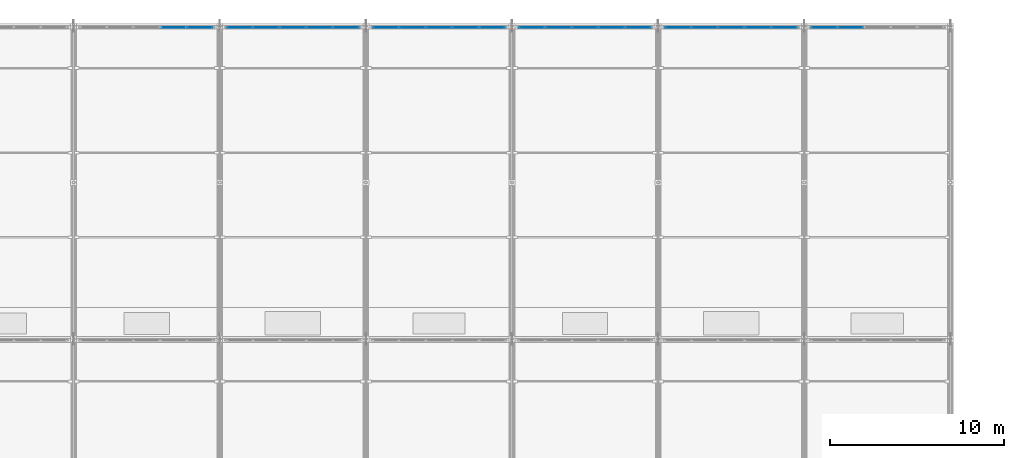
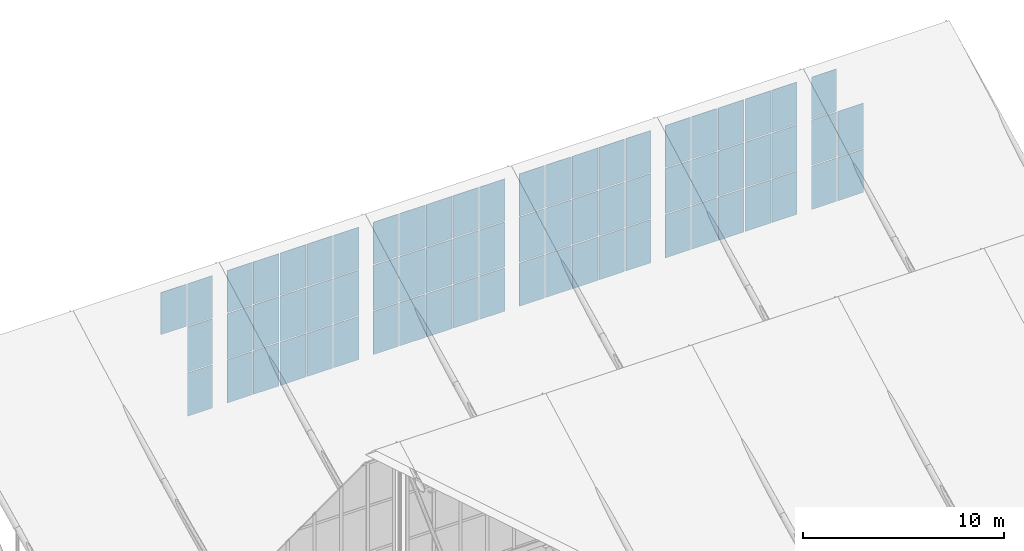
# One storey, part 32 of 38: 69 plates, 6 elements without a shape of their own.
"""IFC4 building model written with IfcOpenShell, lengths in metres."""

from ifc_helpers import new_model, si_unit, direction, frame, origin, origin_2d, place, context, subcontext, project, spatial, rectangle, extrude, material, layer, layer_set, type_object, element, aggregate, save


model = new_model("IFC4")

# Units and contexts
model_context = context("Model", 3, precision=1e-05, world=origin(), true_north=direction((0.0, 1.0)))
body_context = subcontext(model_context, "Body", "Model", "MODEL_VIEW")
ifc_project = project(units=[si_unit("LENGTHUNIT", "METRE"), si_unit("AREAUNIT", "SQUARE_METRE"), si_unit("VOLUMEUNIT", "CUBIC_METRE"), si_unit("PLANEANGLEUNIT", "RADIAN"), si_unit("MASSUNIT", "GRAM", prefix="KILO")], contexts=[model_context])

# Site, building, storey
site_placement = place(None, origin())
site = spatial("IfcSite", under=ifc_project, at=site_placement, CompositionType="ELEMENT")
building_placement = place(site_placement, origin())
building = spatial("IfcBuilding", under=site, at=building_placement, Name="Veltarok Museum of Natural Sciences", CompositionType="ELEMENT")
storey_placement = place(building_placement, frame((0.0, 0.0, 31.199951171875)))
storey = spatial("IfcBuildingStorey", under=building, at=storey_placement, Name="RF", CompositionType="ELEMENT", Elevation=31.199951171875)

# Curtain wall, plates
ifc_material = material(Name="Low-iron triple insulated glass", Category="glass")
curtain_wall_type = type_object("IfcCurtainWallType", Name="Curtain Wall System CW-SAW-M2-768x817 (Sawtooth North Clerestory M2 768x817cm)", PredefinedType="NOTDEFINED", material=ifc_material)
curtain_wall_1_placement = place(storey_placement, origin())
curtain_wall_1 = element("IfcCurtainWall", 1, at=curtain_wall_1_placement, inside=storey, type_object=curtain_wall_type, Name="Curtain Wall CW-SAW-M2-768x817 CW-SAW-0075", PredefinedType="NOTDEFINED")
ifc_layer = layer(ifc_material, 0.031982421875)
ifc_layer_set = layer_set([ifc_layer], Name="Low-iron triple insulated glass")
plate_type = type_object("IfcPlateType", Name="North-Light Diffusing Triple Glazed Panel 32", PredefinedType="CURTAIN_PANEL", material=ifc_layer_set)
plate_1_placement = place(storey_placement, frame((55.656982421875, 71.919921875, -5.659912109375), z_axis=(0.0, 0.0, 1.0), x_axis=(-1.0, 0.0, 0.0)))
plate_1 = element("IfcPlate", 2, at=plate_1_placement, type_object=plate_type, Name="CW-SAW-M2-768x817 panel 1.1", PredefinedType="CURTAIN_PANEL", context=body_context, shape_type="SweptSolid", body=[
    extrude(rectangle(XDim=1.446044921875, YDim=0.031982421875, at=origin_2d()), origin(), (0.0, 0.0, 1.0), 2.6298828125),
])
plate_2_placement = place(storey_placement, frame((55.656982421875, 71.919921875, -2.9697265625), z_axis=(0.0, 0.0, 1.0), x_axis=(-1.0, 0.0, 0.0)))
plate_2 = element("IfcPlate", 3, at=plate_2_placement, type_object=plate_type, Name="CW-SAW-M2-768x817 panel 1.2", PredefinedType="CURTAIN_PANEL", context=body_context, shape_type="SweptSolid", body=[
    extrude(rectangle(XDim=1.446044921875, YDim=0.031982421875, at=origin_2d()), origin(), (0.0, 0.0, 1.0), 2.739990234375),
])
plate_3_placement = place(storey_placement, frame((55.656982421875, 71.919921875, -0.169921875), z_axis=(0.0, 0.0, 1.0), x_axis=(-1.0, 0.0, 0.0)))
plate_3 = element("IfcPlate", 4, at=plate_3_placement, type_object=plate_type, Name="CW-SAW-M2-768x817 panel 1.3", PredefinedType="CURTAIN_PANEL", context=body_context, shape_type="SweptSolid", body=[
    extrude(rectangle(XDim=1.446044921875, YDim=0.031982421875, at=origin_2d()), origin(), (0.0, 0.0, 1.0), 2.56005859375),
])
plate_4_placement = place(storey_placement, frame((54.135986328125, 71.919921875, -0.169921875), z_axis=(0.0, 0.0, 1.0), x_axis=(-1.0, 0.0, 0.0)))
plate_4 = element("IfcPlate", 5, at=plate_4_placement, type_object=plate_type, Name="CW-SAW-M2-768x817 panel 2.3", PredefinedType="CURTAIN_PANEL", context=body_context, shape_type="SweptSolid", body=[
    extrude(rectangle(XDim=1.47607421875, YDim=0.031982421875, at=origin_2d()), origin(), (0.0, 0.0, 1.0), 2.56005859375),
])
aggregate(curtain_wall_1, [plate_1, plate_2, plate_3, plate_4])

curtain_wall_2_placement = place(storey_placement, origin())
curtain_wall_2 = element("IfcCurtainWall", 6, at=curtain_wall_2_placement, inside=storey, type_object=curtain_wall_type, Name="Curtain Wall CW-SAW-M2-768x817 CW-SAW-0077", PredefinedType="NOTDEFINED")
plate_5_placement = place(storey_placement, frame((64.056884765625, 71.919921875, -5.659912109375), z_axis=(0.0, 0.0, 1.0), x_axis=(-1.0, 0.0, 0.0)))
plate_5 = element("IfcPlate", 7, at=plate_5_placement, type_object=plate_type, Name="CW-SAW-M2-768x817 panel 1.1", PredefinedType="CURTAIN_PANEL", context=body_context, shape_type="SweptSolid", body=[
    extrude(rectangle(XDim=1.446044921875, YDim=0.031982421875, at=origin_2d()), origin(), (0.0, 0.0, 1.0), 2.6298828125),
])
plate_6_placement = place(storey_placement, frame((64.056884765625, 71.919921875, -2.9697265625), z_axis=(0.0, 0.0, 1.0), x_axis=(-1.0, 0.0, 0.0)))
plate_6 = element("IfcPlate", 8, at=plate_6_placement, type_object=plate_type, Name="CW-SAW-M2-768x817 panel 1.2", PredefinedType="CURTAIN_PANEL", context=body_context, shape_type="SweptSolid", body=[
    extrude(rectangle(XDim=1.446044921875, YDim=0.031982421875, at=origin_2d()), origin(), (0.0, 0.0, 1.0), 2.739990234375),
])
plate_7_placement = place(storey_placement, frame((64.056884765625, 71.919921875, -0.169921875), z_axis=(0.0, 0.0, 1.0), x_axis=(-1.0, 0.0, 0.0)))
plate_7 = element("IfcPlate", 9, at=plate_7_placement, type_object=plate_type, Name="CW-SAW-M2-768x817 panel 1.3", PredefinedType="CURTAIN_PANEL", context=body_context, shape_type="SweptSolid", body=[
    extrude(rectangle(XDim=1.446044921875, YDim=0.031982421875, at=origin_2d()), origin(), (0.0, 0.0, 1.0), 2.56005859375),
])
plate_8_placement = place(storey_placement, frame((62.535888671875, 71.919921875, -5.659912109375), z_axis=(0.0, 0.0, 1.0), x_axis=(-1.0, 0.0, 0.0)))
plate_8 = element("IfcPlate", 10, at=plate_8_placement, type_object=plate_type, Name="CW-SAW-M2-768x817 panel 2.1", PredefinedType="CURTAIN_PANEL", context=body_context, shape_type="SweptSolid", body=[
    extrude(rectangle(XDim=1.47607421875, YDim=0.031982421875, at=origin_2d()), origin(), (0.0, 0.0, 1.0), 2.6298828125),
])
plate_9_placement = place(storey_placement, frame((62.535888671875, 71.919921875, -2.9697265625), z_axis=(0.0, 0.0, 1.0), x_axis=(-1.0, 0.0, 0.0)))
plate_9 = element("IfcPlate", 11, at=plate_9_placement, type_object=plate_type, Name="CW-SAW-M2-768x817 panel 2.2", PredefinedType="CURTAIN_PANEL", context=body_context, shape_type="SweptSolid", body=[
    extrude(rectangle(XDim=1.47607421875, YDim=0.031982421875, at=origin_2d()), origin(), (0.0, 0.0, 1.0), 2.739990234375),
])
plate_10_placement = place(storey_placement, frame((62.535888671875, 71.919921875, -0.169921875), z_axis=(0.0, 0.0, 1.0), x_axis=(-1.0, 0.0, 0.0)))
plate_10 = element("IfcPlate", 12, at=plate_10_placement, type_object=plate_type, Name="CW-SAW-M2-768x817 panel 2.3", PredefinedType="CURTAIN_PANEL", context=body_context, shape_type="SweptSolid", body=[
    extrude(rectangle(XDim=1.47607421875, YDim=0.031982421875, at=origin_2d()), origin(), (0.0, 0.0, 1.0), 2.56005859375),
])
plate_11_placement = place(storey_placement, frame((61.0, 71.919921875, -5.659912109375), z_axis=(0.0, 0.0, 1.0), x_axis=(-1.0, 0.0, 0.0)))
plate_11 = element("IfcPlate", 13, at=plate_11_placement, type_object=plate_type, Name="CW-SAW-M2-768x817 panel 3.1", PredefinedType="CURTAIN_PANEL", context=body_context, shape_type="SweptSolid", body=[
    extrude(rectangle(XDim=1.47607421875, YDim=0.031982421875, at=origin_2d()), origin(), (0.0, 0.0, 1.0), 2.6298828125),
])
plate_12_placement = place(storey_placement, frame((61.0, 71.919921875, -2.9697265625), z_axis=(0.0, 0.0, 1.0), x_axis=(-1.0, 0.0, 0.0)))
plate_12 = element("IfcPlate", 14, at=plate_12_placement, type_object=plate_type, Name="CW-SAW-M2-768x817 panel 3.2", PredefinedType="CURTAIN_PANEL", context=body_context, shape_type="SweptSolid", body=[
    extrude(rectangle(XDim=1.47607421875, YDim=0.031982421875, at=origin_2d()), origin(), (0.0, 0.0, 1.0), 2.739990234375),
])
plate_13_placement = place(storey_placement, frame((61.0, 71.919921875, -0.169921875), z_axis=(0.0, 0.0, 1.0), x_axis=(-1.0, 0.0, 0.0)))
plate_13 = element("IfcPlate", 15, at=plate_13_placement, type_object=plate_type, Name="CW-SAW-M2-768x817 panel 3.3", PredefinedType="CURTAIN_PANEL", context=body_context, shape_type="SweptSolid", body=[
    extrude(rectangle(XDim=1.47607421875, YDim=0.031982421875, at=origin_2d()), origin(), (0.0, 0.0, 1.0), 2.56005859375),
])
plate_14_placement = place(storey_placement, frame((59.464111328125, 71.919921875, -5.659912109375), z_axis=(0.0, 0.0, 1.0), x_axis=(-1.0, 0.0, 0.0)))
plate_14 = element("IfcPlate", 16, at=plate_14_placement, type_object=plate_type, Name="CW-SAW-M2-768x817 panel 4.1", PredefinedType="CURTAIN_PANEL", context=body_context, shape_type="SweptSolid", body=[
    extrude(rectangle(XDim=1.47607421875, YDim=0.031982421875, at=origin_2d()), origin(), (0.0, 0.0, 1.0), 2.6298828125),
])
plate_15_placement = place(storey_placement, frame((59.464111328125, 71.919921875, -2.9697265625), z_axis=(0.0, 0.0, 1.0), x_axis=(-1.0, 0.0, 0.0)))
plate_15 = element("IfcPlate", 17, at=plate_15_placement, type_object=plate_type, Name="CW-SAW-M2-768x817 panel 4.2", PredefinedType="CURTAIN_PANEL", context=body_context, shape_type="SweptSolid", body=[
    extrude(rectangle(XDim=1.47607421875, YDim=0.031982421875, at=origin_2d()), origin(), (0.0, 0.0, 1.0), 2.739990234375),
])
plate_16_placement = place(storey_placement, frame((59.464111328125, 71.919921875, -0.169921875), z_axis=(0.0, 0.0, 1.0), x_axis=(-1.0, 0.0, 0.0)))
plate_16 = element("IfcPlate", 18, at=plate_16_placement, type_object=plate_type, Name="CW-SAW-M2-768x817 panel 4.3", PredefinedType="CURTAIN_PANEL", context=body_context, shape_type="SweptSolid", body=[
    extrude(rectangle(XDim=1.47607421875, YDim=0.031982421875, at=origin_2d()), origin(), (0.0, 0.0, 1.0), 2.56005859375),
])
plate_17_placement = place(storey_placement, frame((57.943115234375, 71.919921875, -5.659912109375), z_axis=(0.0, 0.0, 1.0), x_axis=(-1.0, 0.0, 0.0)))
plate_17 = element("IfcPlate", 19, at=plate_17_placement, type_object=plate_type, Name="CW-SAW-M2-768x817 panel 5.1", PredefinedType="CURTAIN_PANEL", context=body_context, shape_type="SweptSolid", body=[
    extrude(rectangle(XDim=1.446044921875, YDim=0.031982421875, at=origin_2d()), origin(), (0.0, 0.0, 1.0), 2.6298828125),
])
plate_18_placement = place(storey_placement, frame((57.943115234375, 71.919921875, -2.9697265625), z_axis=(0.0, 0.0, 1.0), x_axis=(-1.0, 0.0, 0.0)))
plate_18 = element("IfcPlate", 20, at=plate_18_placement, type_object=plate_type, Name="CW-SAW-M2-768x817 panel 5.2", PredefinedType="CURTAIN_PANEL", context=body_context, shape_type="SweptSolid", body=[
    extrude(rectangle(XDim=1.446044921875, YDim=0.031982421875, at=origin_2d()), origin(), (0.0, 0.0, 1.0), 2.739990234375),
])
plate_19_placement = place(storey_placement, frame((57.943115234375, 71.919921875, -0.169921875), z_axis=(0.0, 0.0, 1.0), x_axis=(-1.0, 0.0, 0.0)))
plate_19 = element("IfcPlate", 21, at=plate_19_placement, type_object=plate_type, Name="CW-SAW-M2-768x817 panel 5.3", PredefinedType="CURTAIN_PANEL", context=body_context, shape_type="SweptSolid", body=[
    extrude(rectangle(XDim=1.446044921875, YDim=0.031982421875, at=origin_2d()), origin(), (0.0, 0.0, 1.0), 2.56005859375),
])
aggregate(curtain_wall_2, [plate_5, plate_6, plate_7, plate_8, plate_9, plate_10, plate_11, plate_12, plate_13, plate_14, plate_15, plate_16, plate_17, plate_18, plate_19])

curtain_wall_3_placement = place(storey_placement, origin())
curtain_wall_3 = element("IfcCurtainWall", 22, at=curtain_wall_3_placement, inside=storey, type_object=curtain_wall_type, Name="Curtain Wall CW-SAW-M2-768x817 CW-SAW-0079", PredefinedType="NOTDEFINED")
plate_20_placement = place(storey_placement, frame((72.45703125, 71.919921875, -5.659912109375), z_axis=(0.0, 0.0, 1.0), x_axis=(-1.0, 0.0, 0.0)))
plate_20 = element("IfcPlate", 23, at=plate_20_placement, type_object=plate_type, Name="CW-SAW-M2-768x817 panel 1.1", PredefinedType="CURTAIN_PANEL", context=body_context, shape_type="SweptSolid", body=[
    extrude(rectangle(XDim=1.446044921875, YDim=0.031982421875, at=origin_2d()), origin(), (0.0, 0.0, 1.0), 2.6298828125),
])
plate_21_placement = place(storey_placement, frame((72.45703125, 71.919921875, -2.9697265625), z_axis=(0.0, 0.0, 1.0), x_axis=(-1.0, 0.0, 0.0)))
plate_21 = element("IfcPlate", 24, at=plate_21_placement, type_object=plate_type, Name="CW-SAW-M2-768x817 panel 1.2", PredefinedType="CURTAIN_PANEL", context=body_context, shape_type="SweptSolid", body=[
    extrude(rectangle(XDim=1.446044921875, YDim=0.031982421875, at=origin_2d()), origin(), (0.0, 0.0, 1.0), 2.739990234375),
])
plate_22_placement = place(storey_placement, frame((72.45703125, 71.919921875, -0.169921875), z_axis=(0.0, 0.0, 1.0), x_axis=(-1.0, 0.0, 0.0)))
plate_22 = element("IfcPlate", 25, at=plate_22_placement, type_object=plate_type, Name="CW-SAW-M2-768x817 panel 1.3", PredefinedType="CURTAIN_PANEL", context=body_context, shape_type="SweptSolid", body=[
    extrude(rectangle(XDim=1.446044921875, YDim=0.031982421875, at=origin_2d()), origin(), (0.0, 0.0, 1.0), 2.56005859375),
])
plate_23_placement = place(storey_placement, frame((70.93603515625, 71.919921875, -5.659912109375), z_axis=(0.0, 0.0, 1.0), x_axis=(-1.0, 0.0, 0.0)))
plate_23 = element("IfcPlate", 26, at=plate_23_placement, type_object=plate_type, Name="CW-SAW-M2-768x817 panel 2.1", PredefinedType="CURTAIN_PANEL", context=body_context, shape_type="SweptSolid", body=[
    extrude(rectangle(XDim=1.47607421875, YDim=0.031982421875, at=origin_2d()), origin(), (0.0, 0.0, 1.0), 2.6298828125),
])
plate_24_placement = place(storey_placement, frame((70.93603515625, 71.919921875, -2.9697265625), z_axis=(0.0, 0.0, 1.0), x_axis=(-1.0, 0.0, 0.0)))
plate_24 = element("IfcPlate", 27, at=plate_24_placement, type_object=plate_type, Name="CW-SAW-M2-768x817 panel 2.2", PredefinedType="CURTAIN_PANEL", context=body_context, shape_type="SweptSolid", body=[
    extrude(rectangle(XDim=1.47607421875, YDim=0.031982421875, at=origin_2d()), origin(), (0.0, 0.0, 1.0), 2.739990234375),
])
plate_25_placement = place(storey_placement, frame((70.93603515625, 71.919921875, -0.169921875), z_axis=(0.0, 0.0, 1.0), x_axis=(-1.0, 0.0, 0.0)))
plate_25 = element("IfcPlate", 28, at=plate_25_placement, type_object=plate_type, Name="CW-SAW-M2-768x817 panel 2.3", PredefinedType="CURTAIN_PANEL", context=body_context, shape_type="SweptSolid", body=[
    extrude(rectangle(XDim=1.47607421875, YDim=0.031982421875, at=origin_2d()), origin(), (0.0, 0.0, 1.0), 2.56005859375),
])
plate_26_placement = place(storey_placement, frame((69.39990234375, 71.919921875, -5.659912109375), z_axis=(0.0, 0.0, 1.0), x_axis=(-1.0, 0.0, 0.0)))
plate_26 = element("IfcPlate", 29, at=plate_26_placement, type_object=plate_type, Name="CW-SAW-M2-768x817 panel 3.1", PredefinedType="CURTAIN_PANEL", context=body_context, shape_type="SweptSolid", body=[
    extrude(rectangle(XDim=1.47607421875, YDim=0.031982421875, at=origin_2d()), origin(), (0.0, 0.0, 1.0), 2.6298828125),
])
plate_27_placement = place(storey_placement, frame((69.39990234375, 71.919921875, -2.9697265625), z_axis=(0.0, 0.0, 1.0), x_axis=(-1.0, 0.0, 0.0)))
plate_27 = element("IfcPlate", 30, at=plate_27_placement, type_object=plate_type, Name="CW-SAW-M2-768x817 panel 3.2", PredefinedType="CURTAIN_PANEL", context=body_context, shape_type="SweptSolid", body=[
    extrude(rectangle(XDim=1.47607421875, YDim=0.031982421875, at=origin_2d()), origin(), (0.0, 0.0, 1.0), 2.739990234375),
])
plate_28_placement = place(storey_placement, frame((69.39990234375, 71.919921875, -0.169921875), z_axis=(0.0, 0.0, 1.0), x_axis=(-1.0, 0.0, 0.0)))
plate_28 = element("IfcPlate", 31, at=plate_28_placement, type_object=plate_type, Name="CW-SAW-M2-768x817 panel 3.3", PredefinedType="CURTAIN_PANEL", context=body_context, shape_type="SweptSolid", body=[
    extrude(rectangle(XDim=1.47607421875, YDim=0.031982421875, at=origin_2d()), origin(), (0.0, 0.0, 1.0), 2.56005859375),
])
plate_29_placement = place(storey_placement, frame((67.864013671875, 71.919921875, -5.659912109375), z_axis=(0.0, 0.0, 1.0), x_axis=(-1.0, 0.0, 0.0)))
plate_29 = element("IfcPlate", 32, at=plate_29_placement, type_object=plate_type, Name="CW-SAW-M2-768x817 panel 4.1", PredefinedType="CURTAIN_PANEL", context=body_context, shape_type="SweptSolid", body=[
    extrude(rectangle(XDim=1.47607421875, YDim=0.031982421875, at=origin_2d()), origin(), (0.0, 0.0, 1.0), 2.6298828125),
])
plate_30_placement = place(storey_placement, frame((67.864013671875, 71.919921875, -2.9697265625), z_axis=(0.0, 0.0, 1.0), x_axis=(-1.0, 0.0, 0.0)))
plate_30 = element("IfcPlate", 33, at=plate_30_placement, type_object=plate_type, Name="CW-SAW-M2-768x817 panel 4.2", PredefinedType="CURTAIN_PANEL", context=body_context, shape_type="SweptSolid", body=[
    extrude(rectangle(XDim=1.47607421875, YDim=0.031982421875, at=origin_2d()), origin(), (0.0, 0.0, 1.0), 2.739990234375),
])
plate_31_placement = place(storey_placement, frame((67.864013671875, 71.919921875, -0.169921875), z_axis=(0.0, 0.0, 1.0), x_axis=(-1.0, 0.0, 0.0)))
plate_31 = element("IfcPlate", 34, at=plate_31_placement, type_object=plate_type, Name="CW-SAW-M2-768x817 panel 4.3", PredefinedType="CURTAIN_PANEL", context=body_context, shape_type="SweptSolid", body=[
    extrude(rectangle(XDim=1.47607421875, YDim=0.031982421875, at=origin_2d()), origin(), (0.0, 0.0, 1.0), 2.56005859375),
])
plate_32_placement = place(storey_placement, frame((66.343017578125, 71.919921875, -5.659912109375), z_axis=(0.0, 0.0, 1.0), x_axis=(-1.0, 0.0, 0.0)))
plate_32 = element("IfcPlate", 35, at=plate_32_placement, type_object=plate_type, Name="CW-SAW-M2-768x817 panel 5.1", PredefinedType="CURTAIN_PANEL", context=body_context, shape_type="SweptSolid", body=[
    extrude(rectangle(XDim=1.446044921875, YDim=0.031982421875, at=origin_2d()), origin(), (0.0, 0.0, 1.0), 2.6298828125),
])
plate_33_placement = place(storey_placement, frame((66.343017578125, 71.919921875, -2.9697265625), z_axis=(0.0, 0.0, 1.0), x_axis=(-1.0, 0.0, 0.0)))
plate_33 = element("IfcPlate", 36, at=plate_33_placement, type_object=plate_type, Name="CW-SAW-M2-768x817 panel 5.2", PredefinedType="CURTAIN_PANEL", context=body_context, shape_type="SweptSolid", body=[
    extrude(rectangle(XDim=1.446044921875, YDim=0.031982421875, at=origin_2d()), origin(), (0.0, 0.0, 1.0), 2.739990234375),
])
plate_34_placement = place(storey_placement, frame((66.343017578125, 71.919921875, -0.169921875), z_axis=(0.0, 0.0, 1.0), x_axis=(-1.0, 0.0, 0.0)))
plate_34 = element("IfcPlate", 37, at=plate_34_placement, type_object=plate_type, Name="CW-SAW-M2-768x817 panel 5.3", PredefinedType="CURTAIN_PANEL", context=body_context, shape_type="SweptSolid", body=[
    extrude(rectangle(XDim=1.446044921875, YDim=0.031982421875, at=origin_2d()), origin(), (0.0, 0.0, 1.0), 2.56005859375),
])
aggregate(curtain_wall_3, [plate_20, plate_21, plate_22, plate_23, plate_24, plate_25, plate_26, plate_27, plate_28, plate_29, plate_30, plate_31, plate_32, plate_33, plate_34])

curtain_wall_4_placement = place(storey_placement, origin())
curtain_wall_4 = element("IfcCurtainWall", 38, at=curtain_wall_4_placement, inside=storey, type_object=curtain_wall_type, Name="Curtain Wall CW-SAW-M2-768x817 CW-SAW-0081", PredefinedType="NOTDEFINED")
plate_35_placement = place(storey_placement, frame((80.85693359375, 71.919921875, -5.659912109375), z_axis=(0.0, 0.0, 1.0), x_axis=(-1.0, 0.0, 0.0)))
plate_35 = element("IfcPlate", 39, at=plate_35_placement, type_object=plate_type, Name="CW-SAW-M2-768x817 panel 1.1", PredefinedType="CURTAIN_PANEL", context=body_context, shape_type="SweptSolid", body=[
    extrude(rectangle(XDim=1.446044921875, YDim=0.031982421875, at=origin_2d()), origin(), (0.0, 0.0, 1.0), 2.6298828125),
])
plate_36_placement = place(storey_placement, frame((80.85693359375, 71.919921875, -2.9697265625), z_axis=(0.0, 0.0, 1.0), x_axis=(-1.0, 0.0, 0.0)))
plate_36 = element("IfcPlate", 40, at=plate_36_placement, type_object=plate_type, Name="CW-SAW-M2-768x817 panel 1.2", PredefinedType="CURTAIN_PANEL", context=body_context, shape_type="SweptSolid", body=[
    extrude(rectangle(XDim=1.446044921875, YDim=0.031982421875, at=origin_2d()), origin(), (0.0, 0.0, 1.0), 2.739990234375),
])
plate_37_placement = place(storey_placement, frame((80.85693359375, 71.919921875, -0.169921875), z_axis=(0.0, 0.0, 1.0), x_axis=(-1.0, 0.0, 0.0)))
plate_37 = element("IfcPlate", 41, at=plate_37_placement, type_object=plate_type, Name="CW-SAW-M2-768x817 panel 1.3", PredefinedType="CURTAIN_PANEL", context=body_context, shape_type="SweptSolid", body=[
    extrude(rectangle(XDim=1.446044921875, YDim=0.031982421875, at=origin_2d()), origin(), (0.0, 0.0, 1.0), 2.56005859375),
])
plate_38_placement = place(storey_placement, frame((79.3359375, 71.919921875, -5.659912109375), z_axis=(0.0, 0.0, 1.0), x_axis=(-1.0, 0.0, 0.0)))
plate_38 = element("IfcPlate", 42, at=plate_38_placement, type_object=plate_type, Name="CW-SAW-M2-768x817 panel 2.1", PredefinedType="CURTAIN_PANEL", context=body_context, shape_type="SweptSolid", body=[
    extrude(rectangle(XDim=1.47607421875, YDim=0.031982421875, at=origin_2d()), origin(), (0.0, 0.0, 1.0), 2.6298828125),
])
plate_39_placement = place(storey_placement, frame((79.3359375, 71.919921875, -2.9697265625), z_axis=(0.0, 0.0, 1.0), x_axis=(-1.0, 0.0, 0.0)))
plate_39 = element("IfcPlate", 43, at=plate_39_placement, type_object=plate_type, Name="CW-SAW-M2-768x817 panel 2.2", PredefinedType="CURTAIN_PANEL", context=body_context, shape_type="SweptSolid", body=[
    extrude(rectangle(XDim=1.47607421875, YDim=0.031982421875, at=origin_2d()), origin(), (0.0, 0.0, 1.0), 2.739990234375),
])
plate_40_placement = place(storey_placement, frame((79.3359375, 71.919921875, -0.169921875), z_axis=(0.0, 0.0, 1.0), x_axis=(-1.0, 0.0, 0.0)))
plate_40 = element("IfcPlate", 44, at=plate_40_placement, type_object=plate_type, Name="CW-SAW-M2-768x817 panel 2.3", PredefinedType="CURTAIN_PANEL", context=body_context, shape_type="SweptSolid", body=[
    extrude(rectangle(XDim=1.47607421875, YDim=0.031982421875, at=origin_2d()), origin(), (0.0, 0.0, 1.0), 2.56005859375),
])
plate_41_placement = place(storey_placement, frame((77.800048828125, 71.919921875, -5.659912109375), z_axis=(0.0, 0.0, 1.0), x_axis=(-1.0, 0.0, 0.0)))
plate_41 = element("IfcPlate", 45, at=plate_41_placement, type_object=plate_type, Name="CW-SAW-M2-768x817 panel 3.1", PredefinedType="CURTAIN_PANEL", context=body_context, shape_type="SweptSolid", body=[
    extrude(rectangle(XDim=1.47607421875, YDim=0.031982421875, at=origin_2d()), origin(), (0.0, 0.0, 1.0), 2.6298828125),
])
plate_42_placement = place(storey_placement, frame((77.800048828125, 71.919921875, -2.9697265625), z_axis=(0.0, 0.0, 1.0), x_axis=(-1.0, 0.0, 0.0)))
plate_42 = element("IfcPlate", 46, at=plate_42_placement, type_object=plate_type, Name="CW-SAW-M2-768x817 panel 3.2", PredefinedType="CURTAIN_PANEL", context=body_context, shape_type="SweptSolid", body=[
    extrude(rectangle(XDim=1.47607421875, YDim=0.031982421875, at=origin_2d()), origin(), (0.0, 0.0, 1.0), 2.739990234375),
])
plate_43_placement = place(storey_placement, frame((77.800048828125, 71.919921875, -0.169921875), z_axis=(0.0, 0.0, 1.0), x_axis=(-1.0, 0.0, 0.0)))
plate_43 = element("IfcPlate", 47, at=plate_43_placement, type_object=plate_type, Name="CW-SAW-M2-768x817 panel 3.3", PredefinedType="CURTAIN_PANEL", context=body_context, shape_type="SweptSolid", body=[
    extrude(rectangle(XDim=1.47607421875, YDim=0.031982421875, at=origin_2d()), origin(), (0.0, 0.0, 1.0), 2.56005859375),
])
plate_44_placement = place(storey_placement, frame((76.263916015625, 71.919921875, -5.659912109375), z_axis=(0.0, 0.0, 1.0), x_axis=(-1.0, 0.0, 0.0)))
plate_44 = element("IfcPlate", 48, at=plate_44_placement, type_object=plate_type, Name="CW-SAW-M2-768x817 panel 4.1", PredefinedType="CURTAIN_PANEL", context=body_context, shape_type="SweptSolid", body=[
    extrude(rectangle(XDim=1.47607421875, YDim=0.031982421875, at=origin_2d()), origin(), (0.0, 0.0, 1.0), 2.6298828125),
])
plate_45_placement = place(storey_placement, frame((76.263916015625, 71.919921875, -2.9697265625), z_axis=(0.0, 0.0, 1.0), x_axis=(-1.0, 0.0, 0.0)))
plate_45 = element("IfcPlate", 49, at=plate_45_placement, type_object=plate_type, Name="CW-SAW-M2-768x817 panel 4.2", PredefinedType="CURTAIN_PANEL", context=body_context, shape_type="SweptSolid", body=[
    extrude(rectangle(XDim=1.47607421875, YDim=0.031982421875, at=origin_2d()), origin(), (0.0, 0.0, 1.0), 2.739990234375),
])
plate_46_placement = place(storey_placement, frame((76.263916015625, 71.919921875, -0.169921875), z_axis=(0.0, 0.0, 1.0), x_axis=(-1.0, 0.0, 0.0)))
plate_46 = element("IfcPlate", 50, at=plate_46_placement, type_object=plate_type, Name="CW-SAW-M2-768x817 panel 4.3", PredefinedType="CURTAIN_PANEL", context=body_context, shape_type="SweptSolid", body=[
    extrude(rectangle(XDim=1.47607421875, YDim=0.031982421875, at=origin_2d()), origin(), (0.0, 0.0, 1.0), 2.56005859375),
])
plate_47_placement = place(storey_placement, frame((74.742919921875, 71.919921875, -5.659912109375), z_axis=(0.0, 0.0, 1.0), x_axis=(-1.0, 0.0, 0.0)))
plate_47 = element("IfcPlate", 51, at=plate_47_placement, type_object=plate_type, Name="CW-SAW-M2-768x817 panel 5.1", PredefinedType="CURTAIN_PANEL", context=body_context, shape_type="SweptSolid", body=[
    extrude(rectangle(XDim=1.446044921875, YDim=0.031982421875, at=origin_2d()), origin(), (0.0, 0.0, 1.0), 2.6298828125),
])
plate_48_placement = place(storey_placement, frame((74.742919921875, 71.919921875, -2.9697265625), z_axis=(0.0, 0.0, 1.0), x_axis=(-1.0, 0.0, 0.0)))
plate_48 = element("IfcPlate", 52, at=plate_48_placement, type_object=plate_type, Name="CW-SAW-M2-768x817 panel 5.2", PredefinedType="CURTAIN_PANEL", context=body_context, shape_type="SweptSolid", body=[
    extrude(rectangle(XDim=1.446044921875, YDim=0.031982421875, at=origin_2d()), origin(), (0.0, 0.0, 1.0), 2.739990234375),
])
plate_49_placement = place(storey_placement, frame((74.742919921875, 71.919921875, -0.169921875), z_axis=(0.0, 0.0, 1.0), x_axis=(-1.0, 0.0, 0.0)))
plate_49 = element("IfcPlate", 53, at=plate_49_placement, type_object=plate_type, Name="CW-SAW-M2-768x817 panel 5.3", PredefinedType="CURTAIN_PANEL", context=body_context, shape_type="SweptSolid", body=[
    extrude(rectangle(XDim=1.446044921875, YDim=0.031982421875, at=origin_2d()), origin(), (0.0, 0.0, 1.0), 2.56005859375),
])
aggregate(curtain_wall_4, [plate_35, plate_36, plate_37, plate_38, plate_39, plate_40, plate_41, plate_42, plate_43, plate_44, plate_45, plate_46, plate_47, plate_48, plate_49])

curtain_wall_5_placement = place(storey_placement, origin())
curtain_wall_5 = element("IfcCurtainWall", 54, at=curtain_wall_5_placement, inside=storey, type_object=curtain_wall_type, Name="Curtain Wall CW-SAW-M2-768x817 CW-SAW-0083", PredefinedType="NOTDEFINED")
plate_50_placement = place(storey_placement, frame((89.257080078125, 71.919921875, -5.659912109375), z_axis=(0.0, 0.0, 1.0), x_axis=(-1.0, 0.0, 0.0)))
plate_50 = element("IfcPlate", 55, at=plate_50_placement, type_object=plate_type, Name="CW-SAW-M2-768x817 panel 1.1", PredefinedType="CURTAIN_PANEL", context=body_context, shape_type="SweptSolid", body=[
    extrude(rectangle(XDim=1.446044921875, YDim=0.031982421875, at=origin_2d()), origin(), (0.0, 0.0, 1.0), 2.6298828125),
])
plate_51_placement = place(storey_placement, frame((89.257080078125, 71.919921875, -2.9697265625), z_axis=(0.0, 0.0, 1.0), x_axis=(-1.0, 0.0, 0.0)))
plate_51 = element("IfcPlate", 56, at=plate_51_placement, type_object=plate_type, Name="CW-SAW-M2-768x817 panel 1.2", PredefinedType="CURTAIN_PANEL", context=body_context, shape_type="SweptSolid", body=[
    extrude(rectangle(XDim=1.446044921875, YDim=0.031982421875, at=origin_2d()), origin(), (0.0, 0.0, 1.0), 2.739990234375),
])
plate_52_placement = place(storey_placement, frame((89.257080078125, 71.919921875, -0.169921875), z_axis=(0.0, 0.0, 1.0), x_axis=(-1.0, 0.0, 0.0)))
plate_52 = element("IfcPlate", 57, at=plate_52_placement, type_object=plate_type, Name="CW-SAW-M2-768x817 panel 1.3", PredefinedType="CURTAIN_PANEL", context=body_context, shape_type="SweptSolid", body=[
    extrude(rectangle(XDim=1.446044921875, YDim=0.031982421875, at=origin_2d()), origin(), (0.0, 0.0, 1.0), 2.56005859375),
])
plate_53_placement = place(storey_placement, frame((87.736083984375, 71.919921875, -5.659912109375), z_axis=(0.0, 0.0, 1.0), x_axis=(-1.0, 0.0, 0.0)))
plate_53 = element("IfcPlate", 58, at=plate_53_placement, type_object=plate_type, Name="CW-SAW-M2-768x817 panel 2.1", PredefinedType="CURTAIN_PANEL", context=body_context, shape_type="SweptSolid", body=[
    extrude(rectangle(XDim=1.47607421875, YDim=0.031982421875, at=origin_2d()), origin(), (0.0, 0.0, 1.0), 2.6298828125),
])
plate_54_placement = place(storey_placement, frame((87.736083984375, 71.919921875, -2.9697265625), z_axis=(0.0, 0.0, 1.0), x_axis=(-1.0, 0.0, 0.0)))
plate_54 = element("IfcPlate", 59, at=plate_54_placement, type_object=plate_type, Name="CW-SAW-M2-768x817 panel 2.2", PredefinedType="CURTAIN_PANEL", context=body_context, shape_type="SweptSolid", body=[
    extrude(rectangle(XDim=1.47607421875, YDim=0.031982421875, at=origin_2d()), origin(), (0.0, 0.0, 1.0), 2.739990234375),
])
plate_55_placement = place(storey_placement, frame((87.736083984375, 71.919921875, -0.169921875), z_axis=(0.0, 0.0, 1.0), x_axis=(-1.0, 0.0, 0.0)))
plate_55 = element("IfcPlate", 60, at=plate_55_placement, type_object=plate_type, Name="CW-SAW-M2-768x817 panel 2.3", PredefinedType="CURTAIN_PANEL", context=body_context, shape_type="SweptSolid", body=[
    extrude(rectangle(XDim=1.47607421875, YDim=0.031982421875, at=origin_2d()), origin(), (0.0, 0.0, 1.0), 2.56005859375),
])
plate_56_placement = place(storey_placement, frame((86.199951171875, 71.919921875, -5.659912109375), z_axis=(0.0, 0.0, 1.0), x_axis=(-1.0, 0.0, 0.0)))
plate_56 = element("IfcPlate", 61, at=plate_56_placement, type_object=plate_type, Name="CW-SAW-M2-768x817 panel 3.1", PredefinedType="CURTAIN_PANEL", context=body_context, shape_type="SweptSolid", body=[
    extrude(rectangle(XDim=1.47607421875, YDim=0.031982421875, at=origin_2d()), origin(), (0.0, 0.0, 1.0), 2.6298828125),
])
plate_57_placement = place(storey_placement, frame((86.199951171875, 71.919921875, -2.9697265625), z_axis=(0.0, 0.0, 1.0), x_axis=(-1.0, 0.0, 0.0)))
plate_57 = element("IfcPlate", 62, at=plate_57_placement, type_object=plate_type, Name="CW-SAW-M2-768x817 panel 3.2", PredefinedType="CURTAIN_PANEL", context=body_context, shape_type="SweptSolid", body=[
    extrude(rectangle(XDim=1.47607421875, YDim=0.031982421875, at=origin_2d()), origin(), (0.0, 0.0, 1.0), 2.739990234375),
])
plate_58_placement = place(storey_placement, frame((86.199951171875, 71.919921875, -0.169921875), z_axis=(0.0, 0.0, 1.0), x_axis=(-1.0, 0.0, 0.0)))
plate_58 = element("IfcPlate", 63, at=plate_58_placement, type_object=plate_type, Name="CW-SAW-M2-768x817 panel 3.3", PredefinedType="CURTAIN_PANEL", context=body_context, shape_type="SweptSolid", body=[
    extrude(rectangle(XDim=1.47607421875, YDim=0.031982421875, at=origin_2d()), origin(), (0.0, 0.0, 1.0), 2.56005859375),
])
plate_59_placement = place(storey_placement, frame((84.6640625, 71.919921875, -5.659912109375), z_axis=(0.0, 0.0, 1.0), x_axis=(-1.0, 0.0, 0.0)))
plate_59 = element("IfcPlate", 64, at=plate_59_placement, type_object=plate_type, Name="CW-SAW-M2-768x817 panel 4.1", PredefinedType="CURTAIN_PANEL", context=body_context, shape_type="SweptSolid", body=[
    extrude(rectangle(XDim=1.47607421875, YDim=0.031982421875, at=origin_2d()), origin(), (0.0, 0.0, 1.0), 2.6298828125),
])
plate_60_placement = place(storey_placement, frame((84.6640625, 71.919921875, -2.9697265625), z_axis=(0.0, 0.0, 1.0), x_axis=(-1.0, 0.0, 0.0)))
plate_60 = element("IfcPlate", 65, at=plate_60_placement, type_object=plate_type, Name="CW-SAW-M2-768x817 panel 4.2", PredefinedType="CURTAIN_PANEL", context=body_context, shape_type="SweptSolid", body=[
    extrude(rectangle(XDim=1.47607421875, YDim=0.031982421875, at=origin_2d()), origin(), (0.0, 0.0, 1.0), 2.739990234375),
])
plate_61_placement = place(storey_placement, frame((84.6640625, 71.919921875, -0.169921875), z_axis=(0.0, 0.0, 1.0), x_axis=(-1.0, 0.0, 0.0)))
plate_61 = element("IfcPlate", 66, at=plate_61_placement, type_object=plate_type, Name="CW-SAW-M2-768x817 panel 4.3", PredefinedType="CURTAIN_PANEL", context=body_context, shape_type="SweptSolid", body=[
    extrude(rectangle(XDim=1.47607421875, YDim=0.031982421875, at=origin_2d()), origin(), (0.0, 0.0, 1.0), 2.56005859375),
])
plate_62_placement = place(storey_placement, frame((83.14306640625, 71.919921875, -5.659912109375), z_axis=(0.0, 0.0, 1.0), x_axis=(-1.0, 0.0, 0.0)))
plate_62 = element("IfcPlate", 67, at=plate_62_placement, type_object=plate_type, Name="CW-SAW-M2-768x817 panel 5.1", PredefinedType="CURTAIN_PANEL", context=body_context, shape_type="SweptSolid", body=[
    extrude(rectangle(XDim=1.446044921875, YDim=0.031982421875, at=origin_2d()), origin(), (0.0, 0.0, 1.0), 2.6298828125),
])
plate_63_placement = place(storey_placement, frame((83.14306640625, 71.919921875, -2.9697265625), z_axis=(0.0, 0.0, 1.0), x_axis=(-1.0, 0.0, 0.0)))
plate_63 = element("IfcPlate", 68, at=plate_63_placement, type_object=plate_type, Name="CW-SAW-M2-768x817 panel 5.2", PredefinedType="CURTAIN_PANEL", context=body_context, shape_type="SweptSolid", body=[
    extrude(rectangle(XDim=1.446044921875, YDim=0.031982421875, at=origin_2d()), origin(), (0.0, 0.0, 1.0), 2.739990234375),
])
plate_64_placement = place(storey_placement, frame((83.14306640625, 71.919921875, -0.169921875), z_axis=(0.0, 0.0, 1.0), x_axis=(-1.0, 0.0, 0.0)))
plate_64 = element("IfcPlate", 69, at=plate_64_placement, type_object=plate_type, Name="CW-SAW-M2-768x817 panel 5.3", PredefinedType="CURTAIN_PANEL", context=body_context, shape_type="SweptSolid", body=[
    extrude(rectangle(XDim=1.446044921875, YDim=0.031982421875, at=origin_2d()), origin(), (0.0, 0.0, 1.0), 2.56005859375),
])
aggregate(curtain_wall_5, [plate_50, plate_51, plate_52, plate_53, plate_54, plate_55, plate_56, plate_57, plate_58, plate_59, plate_60, plate_61, plate_62, plate_63, plate_64])

curtain_wall_6_placement = place(storey_placement, origin())
curtain_wall_6 = element("IfcCurtainWall", 70, at=curtain_wall_6_placement, inside=storey, type_object=curtain_wall_type, Name="Curtain Wall CW-SAW-M2-768x817 CW-SAW-0085", PredefinedType="NOTDEFINED")
plate_65_placement = place(storey_placement, frame((93.06396484375, 71.919921875, -5.659912109375), z_axis=(0.0, 0.0, 1.0), x_axis=(-1.0, 0.0, 0.0)))
plate_65 = element("IfcPlate", 71, at=plate_65_placement, type_object=plate_type, Name="CW-SAW-M2-768x817 panel 4.1", PredefinedType="CURTAIN_PANEL", context=body_context, shape_type="SweptSolid", body=[
    extrude(rectangle(XDim=1.47607421875, YDim=0.031982421875, at=origin_2d()), origin(), (0.0, 0.0, 1.0), 2.6298828125),
])
plate_66_placement = place(storey_placement, frame((93.06396484375, 71.919921875, -2.9697265625), z_axis=(0.0, 0.0, 1.0), x_axis=(-1.0, 0.0, 0.0)))
plate_66 = element("IfcPlate", 72, at=plate_66_placement, type_object=plate_type, Name="CW-SAW-M2-768x817 panel 4.2", PredefinedType="CURTAIN_PANEL", context=body_context, shape_type="SweptSolid", body=[
    extrude(rectangle(XDim=1.47607421875, YDim=0.031982421875, at=origin_2d()), origin(), (0.0, 0.0, 1.0), 2.739990234375),
])
plate_67_placement = place(storey_placement, frame((91.54296875, 71.919921875, -5.659912109375), z_axis=(0.0, 0.0, 1.0), x_axis=(-1.0, 0.0, 0.0)))
plate_67 = element("IfcPlate", 73, at=plate_67_placement, type_object=plate_type, Name="CW-SAW-M2-768x817 panel 5.1", PredefinedType="CURTAIN_PANEL", context=body_context, shape_type="SweptSolid", body=[
    extrude(rectangle(XDim=1.446044921875, YDim=0.031982421875, at=origin_2d()), origin(), (0.0, 0.0, 1.0), 2.6298828125),
])
plate_68_placement = place(storey_placement, frame((91.54296875, 71.919921875, -2.9697265625), z_axis=(0.0, 0.0, 1.0), x_axis=(-1.0, 0.0, 0.0)))
plate_68 = element("IfcPlate", 74, at=plate_68_placement, type_object=plate_type, Name="CW-SAW-M2-768x817 panel 5.2", PredefinedType="CURTAIN_PANEL", context=body_context, shape_type="SweptSolid", body=[
    extrude(rectangle(XDim=1.446044921875, YDim=0.031982421875, at=origin_2d()), origin(), (0.0, 0.0, 1.0), 2.739990234375),
])
plate_69_placement = place(storey_placement, frame((91.54296875, 71.919921875, -0.169921875), z_axis=(0.0, 0.0, 1.0), x_axis=(-1.0, 0.0, 0.0)))
plate_69 = element("IfcPlate", 75, at=plate_69_placement, type_object=plate_type, Name="CW-SAW-M2-768x817 panel 5.3", PredefinedType="CURTAIN_PANEL", context=body_context, shape_type="SweptSolid", body=[
    extrude(rectangle(XDim=1.446044921875, YDim=0.031982421875, at=origin_2d()), origin(), (0.0, 0.0, 1.0), 2.56005859375),
])
aggregate(curtain_wall_6, [plate_65, plate_66, plate_67, plate_68, plate_69])

save(model, "model.ifc")
